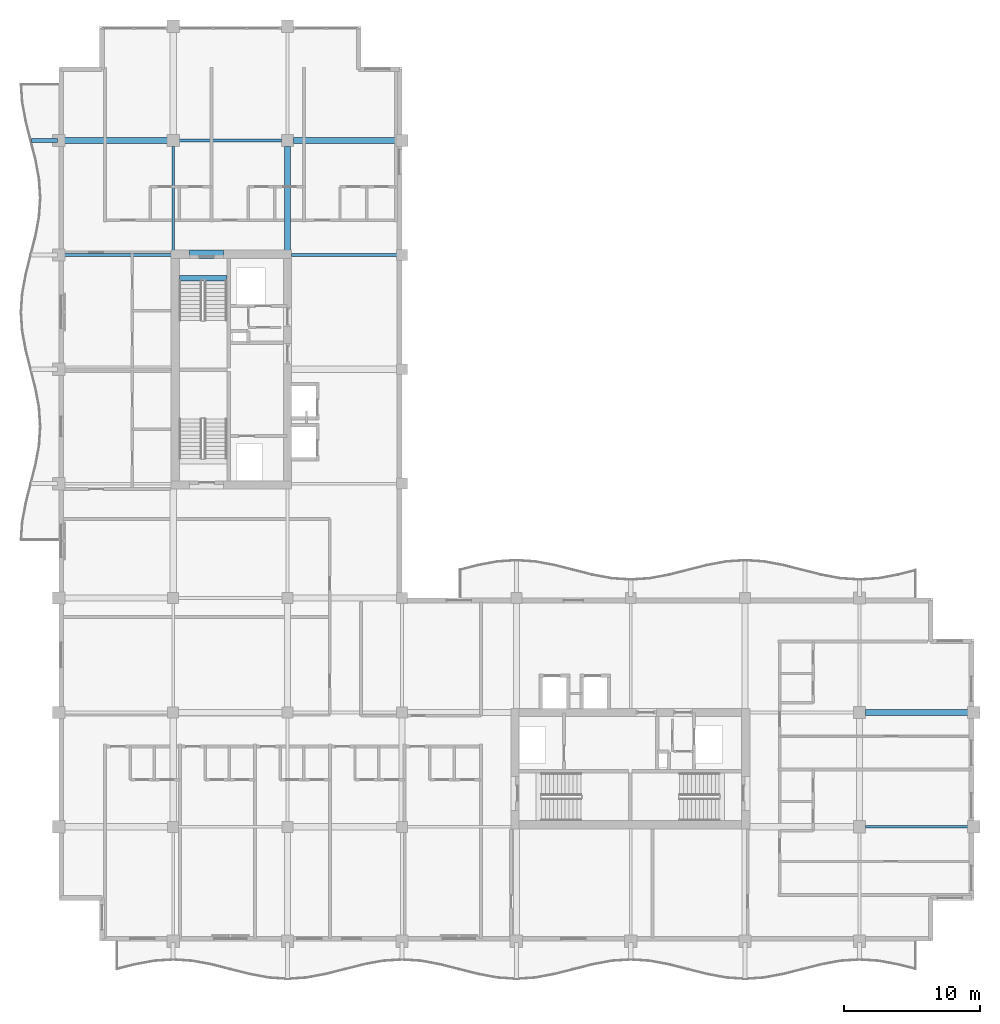
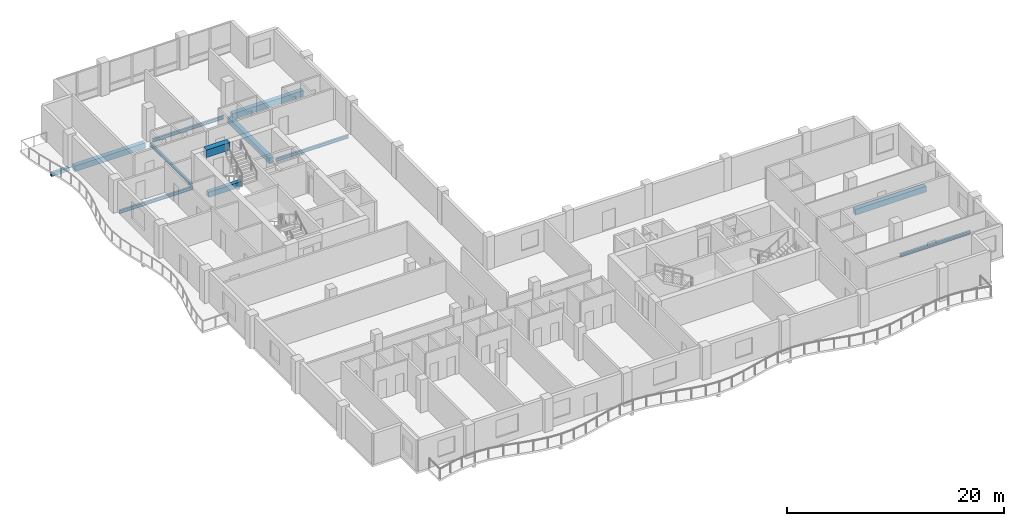
# One storey, part 2 of 15: 12 beams.
"""IFC4 building model written with IfcOpenShell, lengths in metres."""

from ifc_helpers import new_model, si_unit, direction, frame, origin, origin_2d, place, context, subcontext, project, spatial, rectangle, i_section, extrude, material, material_profile, profile_set, type_object, element, save


model = new_model("IFC4")

# Units and contexts
model_context = context("Model", 3, precision=1e-05, world=origin(), true_north=direction((0.0, 1.0)))
body_context = subcontext(model_context, "Body", "Model", "MODEL_VIEW")
ifc_project = project(units=[si_unit("LENGTHUNIT", "METRE"), si_unit("AREAUNIT", "SQUARE_METRE"), si_unit("VOLUMEUNIT", "CUBIC_METRE"), si_unit("PLANEANGLEUNIT", "RADIAN"), si_unit("MASSUNIT", "GRAM", prefix="KILO")], contexts=[model_context])

# Site, building, storey
site_placement = place(None, origin())
site = spatial("IfcSite", under=ifc_project, at=site_placement, CompositionType="ELEMENT")
building_placement = place(site_placement, origin())
building = spatial("IfcBuilding", under=site, at=building_placement, Name="Koriwani Terraces Tower", CompositionType="ELEMENT")
storey_placement = place(building_placement, frame((0.0, 0.0, 282.300048828125)))
storey = spatial("IfcBuildingStorey", under=building, at=storey_placement, Name="L70", CompositionType="ELEMENT", Elevation=282.300048828125)

# Beams
ifc_material_1 = material(Name="Concrete C40/50", Category="concrete")
ifc_material_profile_1 = material_profile(ifc_material_1, rectangle(XDim=0.300048828125, YDim=0.39990234375, at=origin_2d()), Name="Concrete C40/50", Category="LoadBearing")
ifc_profile_set_1 = profile_set([ifc_material_profile_1], Name="Concrete C40/50")
beam_type_1 = type_object("IfcBeamType", Name="BEAM_RC_BALCONY_RIB_300X400", PredefinedType="JOIST", material=ifc_profile_set_1)
beam_1_placement = place(storey_placement, frame((6.409912109375, 67.199951171875, -0.429931640625), z_axis=(1.0, 0.0, 0.0), x_axis=(0.0, 1.0, 0.0)))
element("IfcBeam", 1, at=beam_1_placement, inside=storey, type_object=beam_type_1, Name="L70 Balcony Bracket Rib W-4", PredefinedType="JOIST", context=body_context, shape_type="SweptSolid", body=[
    extrude(rectangle(XDim=0.300048828125, YDim=0.39990234375, at=origin_2d()), origin(), (0.0, 0.0, 1.0), 1.89013671875),
])
ifc_material_2 = material(Name="Concrete C50/60", Category="concrete")
ifc_material_profile_2 = material_profile(ifc_material_2, rectangle(XDim=0.60009765625, YDim=0.85009765625, at=origin_2d()), Name="Concrete C50/60", Category="LoadBearing")
ifc_profile_set_2 = profile_set([ifc_material_profile_2], Name="Concrete C50/60")
beam_type_2 = type_object("IfcBeamType", Name="BEAM_RC_COUPLING_600X850", PredefinedType="LINTEL", material=ifc_profile_set_2)
beam_2_placement = place(storey_placement, frame((18.0, 58.85009765625, 3.044921875), z_axis=(1.0, 0.0, 0.0), x_axis=(0.0, 1.0, 0.0)))
element("IfcBeam", 2, at=beam_2_placement, inside=storey, type_object=beam_type_2, Name="L70 Core Coupling Lintel Beam WN", PredefinedType="LINTEL", context=body_context, shape_type="SweptSolid", body=[
    extrude(rectangle(XDim=0.60009765625, YDim=0.85009765625, at=origin_2d()), origin(), (0.0, 0.0, 1.0), 2.5),
])
ifc_material_profile_3 = material_profile(ifc_material_1, rectangle(XDim=0.39990234375, YDim=0.60009765625, at=origin_2d()), Name="Concrete C40/50", Category="LoadBearing")
ifc_profile_set_3 = profile_set([ifc_material_profile_3], Name="Concrete C40/50")
beam_type_3 = type_object("IfcBeamType", Name="BEAM_RC_GRID_400X600", PredefinedType="BEAM", material=ifc_profile_set_3)
beam_3_placement = place(storey_placement, frame((17.25, 57.094970703125, -0.300048828125), z_axis=(1.0, 0.0, 0.0), x_axis=(0.0, 1.0, 0.0)))
element("IfcBeam", 3, at=beam_3_placement, inside=storey, type_object=beam_type_3, Name="L70 Stairwell Header Trimmer Beam ST-W2", PredefinedType="BEAM", context=body_context, shape_type="SweptSolid", body=[
    extrude(rectangle(XDim=0.39990234375, YDim=0.60009765625, at=origin_2d()), origin(), (0.0, 0.0, 1.0), 3.5),
])
ifc_material_profile_4 = material_profile(ifc_material_2, rectangle(XDim=0.449951171875, YDim=0.64990234375, at=origin_2d()), Name="Concrete C50/60", Category="LoadBearing")
ifc_profile_set_4 = profile_set([ifc_material_profile_4], Name="Concrete C50/60")
beam_type_4 = type_object("IfcBeamType", Name="BEAM_RC_GRID_450X650", PredefinedType="BEAM", material=ifc_profile_set_4)
for number, where, z_axis, x_axis, name in (
    (4, (67.6298828125, 25.199951171875, -0.554931640625), (1.0, 0.0, 0.0), (0.0, 1.0, 0.0), "L70 Grid Beam D (67.2-75.6m)"),
    (5, (8.830078125, 67.199951171875, -0.554931640625), (1.0, 0.0, 0.0), (0.0, 1.0, 0.0), "L70 Grid Beam I (8.4-16.8m)"),
    (6, (25.6298828125, 67.199951171875, -0.554931640625), (1.0, 0.0, 0.0), (0.0, 1.0, 0.0), "L70 Grid Beam I (25.2-33.6m)"),
):
    element("IfcBeam", number, at=place(storey_placement, frame(where, z_axis=z_axis, x_axis=x_axis)), inside=storey, type_object=beam_type_4, Name=name, PredefinedType="BEAM", context=body_context, shape_type="SweptSolid", body=[
        extrude(rectangle(XDim=0.449951171875, YDim=0.64990234375, at=origin_2d()), origin(), (0.0, 0.0, 1.0), 7.5400390625),
    ])
beam_4_placement = place(storey_placement, frame((25.199951171875, 59.1298828125, -0.554931640625), z_axis=(0.0, 1.0, 0.0), x_axis=(-1.0, 0.0, 0.0)))
element("IfcBeam", 7, at=beam_4_placement, inside=storey, type_object=beam_type_4, Name="L70 Grid Beam 4 (58.8-67.2m)", PredefinedType="BEAM", context=body_context, shape_type="SweptSolid", body=[
    extrude(rectangle(XDim=0.449951171875, YDim=0.64990234375, at=origin_2d()), origin(), (0.0, 0.0, 1.0), 7.64013671875),
])
ifc_material_3 = material(Name="Steel ASTM A572 Grade 50", Category="steel")
ifc_material_profile_5 = material_profile(ifc_material_3, i_section(OverallWidth=0.205078125, OverallDepth=0.35400390625, WebThickness=0.009521484375, FlangeThickness=0.016845703125, at=origin_2d()), Name="Steel ASTM A572 Grade 50", Category="LoadBearing")
ifc_profile_set_5 = profile_set([ifc_material_profile_5], Name="Steel ASTM A572 Grade 50")
beam_type_5 = type_object("IfcBeamType", Name="STEEL_BEAM_W360X79", PredefinedType="JOIST", material=ifc_profile_set_5)
beam_5_placement = place(storey_placement, frame((67.6298828125, 16.800048828125, -0.406982421875), z_axis=(1.0, 0.0, 0.0), x_axis=(0.0, 1.0, 0.0)))
element("IfcBeam", 8, at=beam_5_placement, inside=storey, type_object=beam_type_5, Name="L70 Grid Beam C (67.2-75.6m)", PredefinedType="JOIST", context=body_context, shape_type="SweptSolid", body=[
    extrude(i_section(OverallWidth=0.205078125, OverallDepth=0.35400390625, WebThickness=0.009521484375, FlangeThickness=0.016845703125, at=origin_2d()), origin(), (0.0, 0.0, 1.0), 7.5400390625),
])
beam_6_placement = place(storey_placement, frame((8.830078125, 58.800048828125, -0.406982421875), z_axis=(1.0, 0.0, 0.0), x_axis=(0.0, 1.0, 0.0)))
element("IfcBeam", 9, at=beam_6_placement, inside=storey, type_object=beam_type_5, Name="L70 Grid Beam H (8.4-16.8m)", PredefinedType="JOIST", context=body_context, shape_type="SweptSolid", body=[
    extrude(i_section(OverallWidth=0.205078125, OverallDepth=0.35400390625, WebThickness=0.009521484375, FlangeThickness=0.016845703125, at=origin_2d()), origin(), (0.0, 0.0, 1.0), 7.83984375),
])
beam_7_placement = place(storey_placement, frame((25.47998046875, 58.800048828125, -0.406982421875), z_axis=(1.0, 0.0, 0.0), x_axis=(0.0, 1.0, 0.0)))
element("IfcBeam", 10, at=beam_7_placement, inside=storey, type_object=beam_type_5, Name="L70 Grid Beam H (25.2-33.6m)", PredefinedType="JOIST", context=body_context, shape_type="SweptSolid", body=[
    extrude(i_section(OverallWidth=0.205078125, OverallDepth=0.35400390625, WebThickness=0.009521484375, FlangeThickness=0.016845703125, at=origin_2d()), origin(), (0.0, 0.0, 1.0), 7.739990234375),
])
beam_8_placement = place(storey_placement, frame((17.22998046875, 67.199951171875, -0.406982421875), z_axis=(1.0, 0.0, 0.0), x_axis=(0.0, 1.0, 0.0)))
element("IfcBeam", 11, at=beam_8_placement, inside=storey, type_object=beam_type_5, Name="L70 Grid Beam I (16.8-25.2m)", PredefinedType="JOIST", context=body_context, shape_type="SweptSolid", body=[
    extrude(i_section(OverallWidth=0.205078125, OverallDepth=0.35400390625, WebThickness=0.009521484375, FlangeThickness=0.016845703125, at=origin_2d()), origin(), (0.0, 0.0, 1.0), 7.5400390625),
])
beam_9_placement = place(storey_placement, frame((16.800048828125, 59.1298828125, -0.406982421875), z_axis=(0.0, 1.0, 0.0), x_axis=(-1.0, 0.0, 0.0)))
element("IfcBeam", 12, at=beam_9_placement, inside=storey, type_object=beam_type_5, Name="L70 Grid Beam 3 (58.8-67.2m)", PredefinedType="JOIST", context=body_context, shape_type="SweptSolid", body=[
    extrude(i_section(OverallWidth=0.205078125, OverallDepth=0.35400390625, WebThickness=0.009521484375, FlangeThickness=0.016845703125, at=origin_2d()), origin(), (0.0, 0.0, 1.0), 7.64013671875),
])

save(model, "model.ifc")
